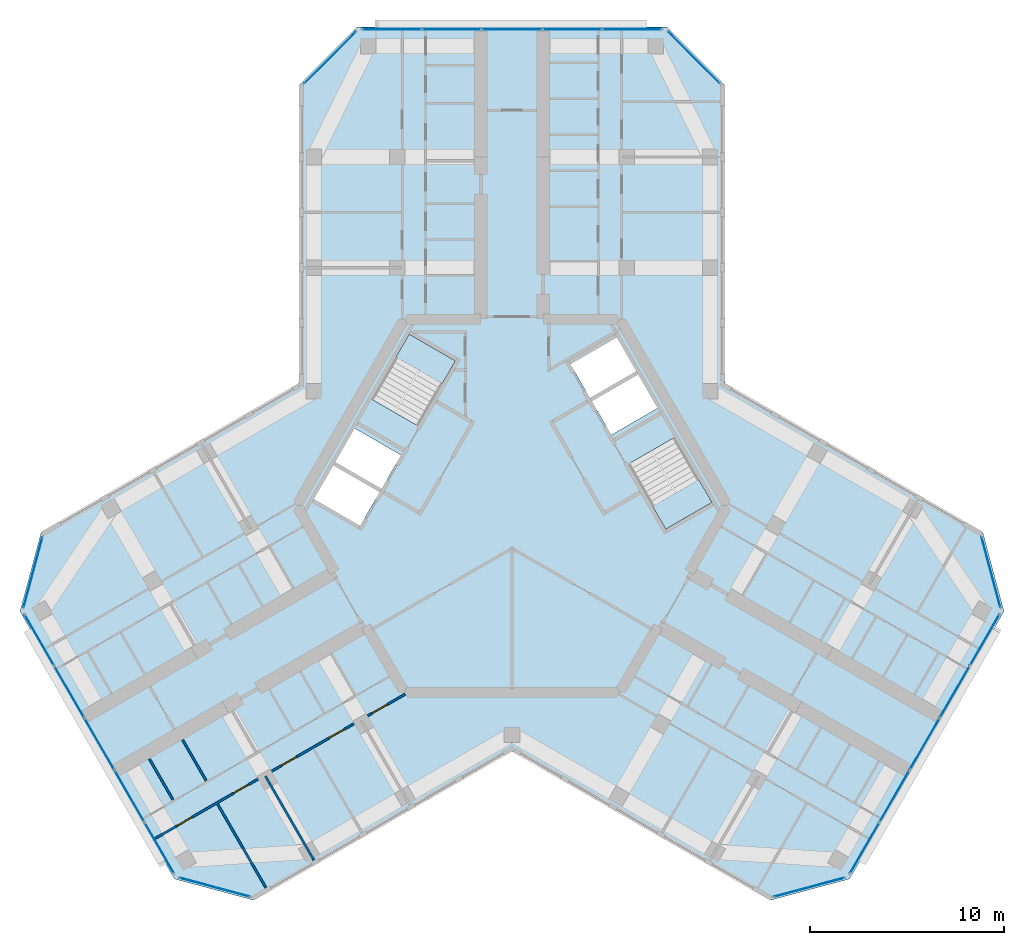
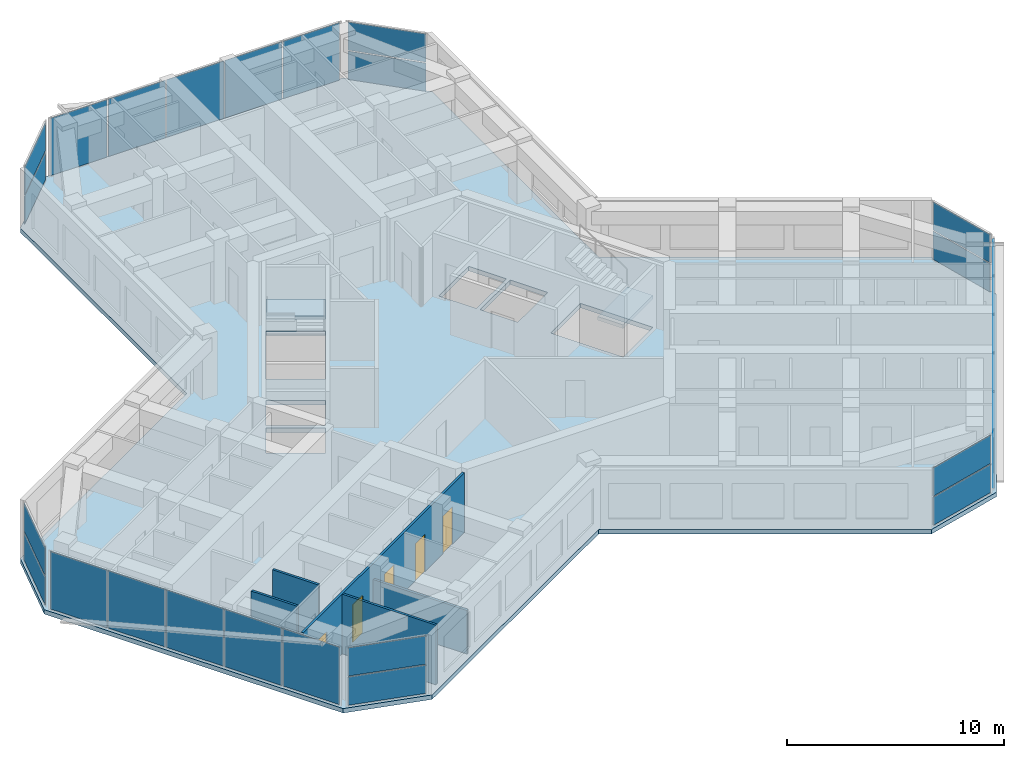
# One storey, part 6 of 14: 27 plates, 5 doors, 5 walls, 3 slabs, 5 openings, 11 elements without a shape of their own.
"""IFC4 building model written with IfcOpenShell, lengths in metres."""

from ifc_helpers import new_model, si_unit, direction, frame, frame_2d, origin, origin_2d, place, context, subcontext, project, spatial, polyline, rectangle, outline, extrude, material, layer, layer_set, type_object, element, fill, aggregate, save


model = new_model("IFC4")

# Units and contexts
model_context = context("Model", 3, precision=1e-05, world=origin(), true_north=direction((0.0, 1.0)))
body_context = subcontext(model_context, "Body", "Model", "MODEL_VIEW")
ifc_project = project(units=[si_unit("LENGTHUNIT", "METRE"), si_unit("AREAUNIT", "SQUARE_METRE"), si_unit("VOLUMEUNIT", "CUBIC_METRE"), si_unit("PLANEANGLEUNIT", "RADIAN"), si_unit("MASSUNIT", "GRAM", prefix="KILO")], contexts=[model_context])

# Site, building, storey
site_placement = place(None, origin())
site = spatial("IfcSite", under=ifc_project, at=site_placement, CompositionType="ELEMENT")
building_placement = place(site_placement, origin())
building = spatial("IfcBuilding", under=site, at=building_placement, Name="Kosmar Iwan School Tower", CompositionType="ELEMENT")
storey_placement = place(building_placement, frame((0.0, 0.0, 278.199951171875)))
storey = spatial("IfcBuildingStorey", under=building, at=storey_placement, Name="L70", CompositionType="ELEMENT", Elevation=278.199951171875)

# Curtain wall, plates
ifc_material_1 = material(Name="Dark glass in black aluminium frame", Category="aluminium")
curtain_wall_type_1 = type_object("IfcCurtainWallType", Name="Chamfer curtain wall dark glass", PredefinedType="USERDEFINED", material=ifc_material_1)
curtain_wall_1_placement = place(storey_placement, origin())
curtain_wall_1 = element("IfcCurtainWall", 1, at=curtain_wall_1_placement, inside=storey, type_object=curtain_wall_type_1, Name="Curtain wall L70-F02", ObjectType="FACETED CURTAIN WALL", PredefinedType="USERDEFINED")
ifc_material_2 = material(Name="Dark glass", Category="glass")
ifc_layer_1 = layer(ifc_material_2, 0.028076171875)
ifc_layer_set_1 = layer_set([ifc_layer_1], Name="Dark glass panel 28")
plate_type = type_object("IfcPlateType", Name="Dark glass panel 28", PredefinedType="CURTAIN_PANEL", material=ifc_layer_set_1)
plate_1_placement = place(storey_placement, frame((15.291015625, -19.63818359375, 0.06005859375), z_axis=(0.0, 0.0, 1.0), x_axis=(0.965925875495, 0.258818861462, 0.0)))
plate_1 = element("IfcPlate", 2, at=plate_1_placement, type_object=plate_type, Name="CW2 panel 1.1", PredefinedType="CURTAIN_PANEL", context=body_context, shape_type="SweptSolid", body=[
    extrude(rectangle(XDim=3.718994140625, YDim=0.028076171875, at=origin_2d()), origin(), (0.0, 0.0, 1.0), 1.5849609375),
])
plate_2_placement = place(storey_placement, frame((15.291015625, -19.63818359375, 1.705078125), z_axis=(0.0, 0.0, 1.0), x_axis=(0.965925875495, 0.258818861462, 0.0)))
plate_2 = element("IfcPlate", 3, at=plate_2_placement, type_object=plate_type, Name="CW2 panel 1.2", PredefinedType="CURTAIN_PANEL", context=body_context, shape_type="SweptSolid", body=[
    extrude(rectangle(XDim=3.718994140625, YDim=0.028076171875, at=origin_2d()), origin(), (0.0, 0.0, 1.0), 1.5849609375),
])
aggregate(curtain_wall_1, [plate_1, plate_2])

ifc_material_3 = material(Name="Dark glass in black aluminium frame", Category="aluminium")
curtain_wall_type_2 = type_object("IfcCurtainWallType", Name="Tower curtain wall dark glass", PredefinedType="USERDEFINED", material=ifc_material_3)
curtain_wall_2_placement = place(storey_placement, origin())
curtain_wall_2 = element("IfcCurtainWall", 4, at=curtain_wall_2_placement, inside=storey, type_object=curtain_wall_type_2, Name="Curtain wall L70-F03", ObjectType="UNITISED CURTAIN WALL", PredefinedType="USERDEFINED")
plate_3_placement = place(storey_placement, frame((18.1474609375, -17.61767578125, 0.06005859375), z_axis=(0.0, 0.0, 1.0), x_axis=(0.499999997325, 0.866025405329, 0.0)))
plate_3 = element("IfcPlate", 5, at=plate_3_placement, type_object=plate_type, Name="CW1 panel 1.1", PredefinedType="CURTAIN_PANEL", context=body_context, shape_type="SweptSolid", body=[
    extrude(rectangle(XDim=3.00927734375, YDim=0.028076171875, at=origin_2d()), origin(), (0.0, 0.0, 1.0), 3.22998046875),
])
plate_4_placement = place(storey_placement, frame((19.689697265625, -14.946533203125, 0.06005859375), z_axis=(0.0, 0.0, 1.0), x_axis=(0.499999997325, 0.866025405329, 0.0)))
plate_4 = element("IfcPlate", 6, at=plate_4_placement, type_object=plate_type, Name="CW1 panel 2.1", PredefinedType="CURTAIN_PANEL", context=body_context, shape_type="SweptSolid", body=[
    extrude(rectangle(XDim=3.039306640625, YDim=0.028076171875, at=origin_2d()), origin(), (0.0, 0.0, 1.0), 3.22998046875),
])
plate_5_placement = place(storey_placement, frame((21.2392578125, -12.262451171875, 0.06005859375), z_axis=(0.0, 0.0, 1.0), x_axis=(0.499999997325, 0.866025405329, 0.0)))
plate_5 = element("IfcPlate", 7, at=plate_5_placement, type_object=plate_type, Name="CW1 panel 3.1", PredefinedType="CURTAIN_PANEL", context=body_context, shape_type="SweptSolid", body=[
    extrude(rectangle(XDim=3.039306640625, YDim=0.028076171875, at=origin_2d()), origin(), (0.0, 0.0, 1.0), 3.22998046875),
])
plate_6_placement = place(storey_placement, frame((22.788818359375, -9.578369140625, 0.06005859375), z_axis=(0.0, 0.0, 1.0), x_axis=(0.499999997325, 0.866025405329, 0.0)))
plate_6 = element("IfcPlate", 8, at=plate_6_placement, type_object=plate_type, Name="CW1 panel 4.1", PredefinedType="CURTAIN_PANEL", context=body_context, shape_type="SweptSolid", body=[
    extrude(rectangle(XDim=3.039306640625, YDim=0.028076171875, at=origin_2d()), origin(), (0.0, 0.0, 1.0), 3.22998046875),
])
plate_7_placement = place(storey_placement, frame((24.3310546875, -6.907470703125, 0.06005859375), z_axis=(0.0, 0.0, 1.0), x_axis=(0.499999997325, 0.866025405329, 0.0)))
plate_7 = element("IfcPlate", 9, at=plate_7_placement, type_object=plate_type, Name="CW1 panel 5.1", PredefinedType="CURTAIN_PANEL", context=body_context, shape_type="SweptSolid", body=[
    extrude(rectangle(XDim=3.00927734375, YDim=0.028076171875, at=origin_2d()), origin(), (0.0, 0.0, 1.0), 3.22998046875),
])
aggregate(curtain_wall_2, [plate_3, plate_4, plate_5, plate_6, plate_7])

curtain_wall_3_placement = place(storey_placement, origin())
curtain_wall_3 = element("IfcCurtainWall", 10, at=curtain_wall_3_placement, inside=storey, type_object=curtain_wall_type_1, Name="Curtain wall L70-F04", ObjectType="FACETED CURTAIN WALL", PredefinedType="USERDEFINED")
plate_8_placement = place(storey_placement, frame((24.65283203125, -3.42333984375, 0.06005859375), z_axis=(0.0, 0.0, 1.0), x_axis=(-0.258818861462, 0.965925875495, 0.0)))
plate_8 = element("IfcPlate", 11, at=plate_8_placement, type_object=plate_type, Name="CW2 panel 1.1", PredefinedType="CURTAIN_PANEL", context=body_context, shape_type="SweptSolid", body=[
    extrude(rectangle(XDim=3.718994140625, YDim=0.028076171875, at=origin_2d()), origin(), (0.0, 0.0, 1.0), 1.5849609375),
])
plate_9_placement = place(storey_placement, frame((24.65283203125, -3.42333984375, 1.705078125), z_axis=(0.0, 0.0, 1.0), x_axis=(-0.258818861462, 0.965925875495, 0.0)))
plate_9 = element("IfcPlate", 12, at=plate_9_placement, type_object=plate_type, Name="CW2 panel 1.2", PredefinedType="CURTAIN_PANEL", context=body_context, shape_type="SweptSolid", body=[
    extrude(rectangle(XDim=3.718994140625, YDim=0.028076171875, at=origin_2d()), origin(), (0.0, 0.0, 1.0), 1.5849609375),
])
aggregate(curtain_wall_3, [plate_8, plate_9])

curtain_wall_4_placement = place(storey_placement, origin())
curtain_wall_4 = element("IfcCurtainWall", 13, at=curtain_wall_4_placement, inside=storey, type_object=curtain_wall_type_1, Name="Curtain wall L70-F07", ObjectType="FACETED CURTAIN WALL", PredefinedType="USERDEFINED")
plate_10_placement = place(storey_placement, frame((9.361572265625, 23.0615234375, 0.06005859375), z_axis=(0.0, 0.0, 1.0), x_axis=(-0.707106781187, 0.707106781187, 0.0)))
plate_10 = element("IfcPlate", 14, at=plate_10_placement, type_object=plate_type, Name="CW2 panel 1.1", PredefinedType="CURTAIN_PANEL", context=body_context, shape_type="SweptSolid", body=[
    extrude(rectangle(XDim=3.718994140625, YDim=0.028076171875, at=origin_2d()), origin(), (0.0, 0.0, 1.0), 1.5849609375),
])
plate_11_placement = place(storey_placement, frame((9.361572265625, 23.0615234375, 1.705078125), z_axis=(0.0, 0.0, 1.0), x_axis=(-0.707106781187, 0.707106781187, 0.0)))
plate_11 = element("IfcPlate", 15, at=plate_11_placement, type_object=plate_type, Name="CW2 panel 1.2", PredefinedType="CURTAIN_PANEL", context=body_context, shape_type="SweptSolid", body=[
    extrude(rectangle(XDim=3.718994140625, YDim=0.028076171875, at=origin_2d()), origin(), (0.0, 0.0, 1.0), 1.5849609375),
])
aggregate(curtain_wall_4, [plate_10, plate_11])

curtain_wall_5_placement = place(storey_placement, origin())
curtain_wall_5 = element("IfcCurtainWall", 16, at=curtain_wall_5_placement, inside=storey, type_object=curtain_wall_type_2, Name="Curtain wall L70-F08", ObjectType="UNITISED CURTAIN WALL", PredefinedType="USERDEFINED")
plate_12_placement = place(storey_placement, frame((6.18359375, 24.52490234375, 0.06005859375), z_axis=(0.0, 0.0, 1.0), x_axis=(-1.0, 0.0, 0.0)))
plate_12 = element("IfcPlate", 17, at=plate_12_placement, type_object=plate_type, Name="CW1 panel 1.1", PredefinedType="CURTAIN_PANEL", context=body_context, shape_type="SweptSolid", body=[
    extrude(rectangle(XDim=3.00927734375, YDim=0.028076171875, at=origin_2d()), origin(), (0.0, 0.0, 1.0), 3.22998046875),
])
plate_13_placement = place(storey_placement, frame((3.099365234375, 24.52490234375, 0.06005859375), z_axis=(0.0, 0.0, 1.0), x_axis=(-1.0, 0.0, 0.0)))
plate_13 = element("IfcPlate", 18, at=plate_13_placement, type_object=plate_type, Name="CW1 panel 2.1", PredefinedType="CURTAIN_PANEL", context=body_context, shape_type="SweptSolid", body=[
    extrude(rectangle(XDim=3.039306640625, YDim=0.028076171875, at=origin_2d()), origin(), (0.0, 0.0, 1.0), 3.22998046875),
])
plate_14_placement = place(storey_placement, frame((0.0, 24.52490234375, 0.06005859375), z_axis=(0.0, 0.0, 1.0), x_axis=(-1.0, 0.0, 0.0)))
plate_14 = element("IfcPlate", 19, at=plate_14_placement, type_object=plate_type, Name="CW1 panel 3.1", PredefinedType="CURTAIN_PANEL", context=body_context, shape_type="SweptSolid", body=[
    extrude(rectangle(XDim=3.039306640625, YDim=0.028076171875, at=origin_2d()), origin(), (0.0, 0.0, 1.0), 3.22998046875),
])
plate_15_placement = place(storey_placement, frame((-3.099365234375, 24.52490234375, 0.06005859375), z_axis=(0.0, 0.0, 1.0), x_axis=(-1.0, 0.0, 0.0)))
plate_15 = element("IfcPlate", 20, at=plate_15_placement, type_object=plate_type, Name="CW1 panel 4.1", PredefinedType="CURTAIN_PANEL", context=body_context, shape_type="SweptSolid", body=[
    extrude(rectangle(XDim=3.039306640625, YDim=0.028076171875, at=origin_2d()), origin(), (0.0, 0.0, 1.0), 3.22998046875),
])
plate_16_placement = place(storey_placement, frame((-6.18359375, 24.52490234375, 0.06005859375), z_axis=(0.0, 0.0, 1.0), x_axis=(-1.0, 0.0, 0.0)))
plate_16 = element("IfcPlate", 21, at=plate_16_placement, type_object=plate_type, Name="CW1 panel 5.1", PredefinedType="CURTAIN_PANEL", context=body_context, shape_type="SweptSolid", body=[
    extrude(rectangle(XDim=3.00927734375, YDim=0.028076171875, at=origin_2d()), origin(), (0.0, 0.0, 1.0), 3.22998046875),
])
aggregate(curtain_wall_5, [plate_12, plate_13, plate_14, plate_15, plate_16])

curtain_wall_6_placement = place(storey_placement, origin())
curtain_wall_6 = element("IfcCurtainWall", 22, at=curtain_wall_6_placement, inside=storey, type_object=curtain_wall_type_1, Name="Curtain wall L70-F09", ObjectType="FACETED CURTAIN WALL", PredefinedType="USERDEFINED")
plate_17_placement = place(storey_placement, frame((-9.361572265625, 23.0615234375, 0.06005859375), z_axis=(0.0, 0.0, 1.0), x_axis=(-0.707106781187, -0.707106781187, 0.0)))
plate_17 = element("IfcPlate", 23, at=plate_17_placement, type_object=plate_type, Name="CW2 panel 1.1", PredefinedType="CURTAIN_PANEL", context=body_context, shape_type="SweptSolid", body=[
    extrude(rectangle(XDim=3.718994140625, YDim=0.028076171875, at=origin_2d()), origin(), (0.0, 0.0, 1.0), 1.5849609375),
])
plate_18_placement = place(storey_placement, frame((-9.361572265625, 23.0615234375, 1.705078125), z_axis=(0.0, 0.0, 1.0), x_axis=(-0.707106781187, -0.707106781187, 0.0)))
plate_18 = element("IfcPlate", 24, at=plate_18_placement, type_object=plate_type, Name="CW2 panel 1.2", PredefinedType="CURTAIN_PANEL", context=body_context, shape_type="SweptSolid", body=[
    extrude(rectangle(XDim=3.718994140625, YDim=0.028076171875, at=origin_2d()), origin(), (0.0, 0.0, 1.0), 1.5849609375),
])
aggregate(curtain_wall_6, [plate_17, plate_18])

curtain_wall_7_placement = place(storey_placement, origin())
curtain_wall_7 = element("IfcCurtainWall", 25, at=curtain_wall_7_placement, inside=storey, type_object=curtain_wall_type_1, Name="Curtain wall L70-F12", ObjectType="FACETED CURTAIN WALL", PredefinedType="USERDEFINED")
plate_19_placement = place(storey_placement, frame((-24.65283203125, -3.42333984375, 0.06005859375), z_axis=(0.0, 0.0, 1.0), x_axis=(-0.258818861462, -0.965925875495, 0.0)))
plate_19 = element("IfcPlate", 26, at=plate_19_placement, type_object=plate_type, Name="CW2 panel 1.1", PredefinedType="CURTAIN_PANEL", context=body_context, shape_type="SweptSolid", body=[
    extrude(rectangle(XDim=3.718994140625, YDim=0.028076171875, at=origin_2d()), origin(), (0.0, 0.0, 1.0), 1.5849609375),
])
plate_20_placement = place(storey_placement, frame((-24.65283203125, -3.42333984375, 1.705078125), z_axis=(0.0, 0.0, 1.0), x_axis=(-0.258818861462, -0.965925875495, 0.0)))
plate_20 = element("IfcPlate", 27, at=plate_20_placement, type_object=plate_type, Name="CW2 panel 1.2", PredefinedType="CURTAIN_PANEL", context=body_context, shape_type="SweptSolid", body=[
    extrude(rectangle(XDim=3.718994140625, YDim=0.028076171875, at=origin_2d()), origin(), (0.0, 0.0, 1.0), 1.5849609375),
])
aggregate(curtain_wall_7, [plate_19, plate_20])

curtain_wall_8_placement = place(storey_placement, origin())
curtain_wall_8 = element("IfcCurtainWall", 28, at=curtain_wall_8_placement, inside=storey, type_object=curtain_wall_type_2, Name="Curtain wall L70-F13", ObjectType="UNITISED CURTAIN WALL", PredefinedType="USERDEFINED")
plate_21_placement = place(storey_placement, frame((-24.3310546875, -6.907470703125, 0.06005859375), z_axis=(0.0, 0.0, 1.0), x_axis=(0.499999997325, -0.866025405329, 0.0)))
plate_21 = element("IfcPlate", 29, at=plate_21_placement, type_object=plate_type, Name="CW1 panel 1.1", PredefinedType="CURTAIN_PANEL", context=body_context, shape_type="SweptSolid", body=[
    extrude(rectangle(XDim=3.00927734375, YDim=0.028076171875, at=origin_2d()), origin(), (0.0, 0.0, 1.0), 3.22998046875),
])
plate_22_placement = place(storey_placement, frame((-22.788818359375, -9.578369140625, 0.06005859375), z_axis=(0.0, 0.0, 1.0), x_axis=(0.499999997325, -0.866025405329, 0.0)))
plate_22 = element("IfcPlate", 30, at=plate_22_placement, type_object=plate_type, Name="CW1 panel 2.1", PredefinedType="CURTAIN_PANEL", context=body_context, shape_type="SweptSolid", body=[
    extrude(rectangle(XDim=3.039306640625, YDim=0.028076171875, at=origin_2d()), origin(), (0.0, 0.0, 1.0), 3.22998046875),
])
plate_23_placement = place(storey_placement, frame((-21.2392578125, -12.262451171875, 0.06005859375), z_axis=(0.0, 0.0, 1.0), x_axis=(0.499999997325, -0.866025405329, 0.0)))
plate_23 = element("IfcPlate", 31, at=plate_23_placement, type_object=plate_type, Name="CW1 panel 3.1", PredefinedType="CURTAIN_PANEL", context=body_context, shape_type="SweptSolid", body=[
    extrude(rectangle(XDim=3.039306640625, YDim=0.028076171875, at=origin_2d()), origin(), (0.0, 0.0, 1.0), 3.22998046875),
])
plate_24_placement = place(storey_placement, frame((-19.689697265625, -14.946533203125, 0.06005859375), z_axis=(0.0, 0.0, 1.0), x_axis=(0.499999997325, -0.866025405329, 0.0)))
plate_24 = element("IfcPlate", 32, at=plate_24_placement, type_object=plate_type, Name="CW1 panel 4.1", PredefinedType="CURTAIN_PANEL", context=body_context, shape_type="SweptSolid", body=[
    extrude(rectangle(XDim=3.039306640625, YDim=0.028076171875, at=origin_2d()), origin(), (0.0, 0.0, 1.0), 3.22998046875),
])
plate_25_placement = place(storey_placement, frame((-18.1474609375, -17.61767578125, 0.06005859375), z_axis=(0.0, 0.0, 1.0), x_axis=(0.499999997325, -0.866025405329, 0.0)))
plate_25 = element("IfcPlate", 33, at=plate_25_placement, type_object=plate_type, Name="CW1 panel 5.1", PredefinedType="CURTAIN_PANEL", context=body_context, shape_type="SweptSolid", body=[
    extrude(rectangle(XDim=3.00927734375, YDim=0.028076171875, at=origin_2d()), origin(), (0.0, 0.0, 1.0), 3.22998046875),
])
aggregate(curtain_wall_8, [plate_21, plate_22, plate_23, plate_24, plate_25])

curtain_wall_9_placement = place(storey_placement, origin())
curtain_wall_9 = element("IfcCurtainWall", 34, at=curtain_wall_9_placement, inside=storey, type_object=curtain_wall_type_1, Name="Curtain wall L70-F14", ObjectType="FACETED CURTAIN WALL", PredefinedType="USERDEFINED")
plate_26_placement = place(storey_placement, frame((-15.291015625, -19.63818359375, 0.06005859375), z_axis=(0.0, 0.0, 1.0), x_axis=(0.965925875495, -0.258818861462, 0.0)))
plate_26 = element("IfcPlate", 35, at=plate_26_placement, type_object=plate_type, Name="CW2 panel 1.1", PredefinedType="CURTAIN_PANEL", context=body_context, shape_type="SweptSolid", body=[
    extrude(rectangle(XDim=3.718994140625, YDim=0.028076171875, at=origin_2d()), origin(), (0.0, 0.0, 1.0), 1.5849609375),
])
plate_27_placement = place(storey_placement, frame((-15.291015625, -19.63818359375, 1.705078125), z_axis=(0.0, 0.0, 1.0), x_axis=(0.965925875495, -0.258818861462, 0.0)))
plate_27 = element("IfcPlate", 36, at=plate_27_placement, type_object=plate_type, Name="CW2 panel 1.2", PredefinedType="CURTAIN_PANEL", context=body_context, shape_type="SweptSolid", body=[
    extrude(rectangle(XDim=3.718994140625, YDim=0.028076171875, at=origin_2d()), origin(), (0.0, 0.0, 1.0), 1.5849609375),
])
aggregate(curtain_wall_9, [plate_26, plate_27])

# Slab
ifc_material_4 = material(Name="Concrete C35/45", Category="concrete")
ifc_layer_2 = layer(ifc_material_4, 0.25)
ifc_layer_set_2 = layer_set([ifc_layer_2], Name="Floor slab 250")
slab_type_1 = type_object("IfcSlabType", Name="Floor slab 250", PredefinedType="FLOOR", material=ifc_layer_set_2)
slab_1_placement = place(storey_placement, frame((0.0, 0.0, -0.25)))
element("IfcSlab", 37, at=slab_1_placement, inside=storey, type_object=slab_type_1, Name="L70 floor slab", PredefinedType="FLOOR", context=body_context, shape_type="SweptSolid", body=[
    extrude(outline(polyline([(-13.2744140625, -20.307861328125), (0.0, -12.64404296875), (13.2744140625, -20.307861328125), (17.37255859375, -19.2099609375), (25.322509765625, -5.440185546875), (24.224365234375, -1.342041015625), (10.949951171875, 6.322021484375), (10.949951171875, 21.64990234375), (7.949951171875, 24.64990234375), (-7.949951171875, 24.64990234375), (-10.949951171875, 21.64990234375), (-10.949951171875, 6.322021484375), (-24.224365234375, -1.342041015625), (-25.322509765625, -5.440185546875), (-17.37255859375, -19.2099609375), (-13.2744140625, -20.307861328125)]), holes=[polyline([(7.91259765625, -1.205078125), (10.294189453125, 0.169921875), (8.3642578125, 3.5126953125), (5.982666015625, 2.1376953125), (7.91259765625, -1.205078125)]), polyline([(-2.91259765625, 7.455078125), (-5.294189453125, 8.830078125), (-7.22412109375, 5.4873046875), (-4.8427734375, 4.1123046875), (-2.91259765625, 7.455078125)]), polyline([(-5.712646484375, 2.60546875), (-8.09423828125, 3.98046875), (-9.09423828125, 2.248291015625), (-6.712646484375, 0.873291015625), (-5.712646484375, 2.60546875)]), polyline([(-6.812744140625, 0.7001953125), (-9.1943359375, 2.0751953125), (-10.1943359375, 0.343017578125), (-7.812744140625, -1.031982421875), (-6.812744140625, 0.7001953125)]), polyline([(5.112548828125, 3.64453125), (7.494140625, 5.01953125), (6.494140625, 6.751708984375), (4.112548828125, 5.376708984375), (5.112548828125, 3.64453125)]), polyline([(4.0126953125, 5.5498046875), (6.394287109375, 6.9248046875), (5.394287109375, 8.656982421875), (3.0126953125, 7.281982421875), (4.0126953125, 5.5498046875)])]), origin(), (0.0, 0.0, 1.0), 0.25),
])

# Stair, slab
ifc_material_5 = material(Name="Concrete C35/45", Category="concrete")
stair_type = type_object("IfcStairType", Name="Core stair 2750", PredefinedType="HALF_TURN_STAIR", material=ifc_material_5)
stair_1_placement = place(storey_placement, origin())
stair_1 = element("IfcStair", 38, at=stair_1_placement, inside=storey, type_object=stair_type, Name="Stair ST2 L70", PredefinedType="HALF_TURN_STAIR")
ifc_material_6 = material(Name="Concrete C35/45", Category="concrete")
ifc_layer_3 = layer(ifc_material_6, 0.199951171875)
ifc_layer_set_3 = layer_set([ifc_layer_3], Name="Stair landing 200")
slab_type_2 = type_object("IfcSlabType", Name="Stair landing 200", PredefinedType="LANDING", material=ifc_layer_set_3)
slab_2_placement = place(storey_placement, frame((0.0, 0.0, 1.60009765625)))
slab_2 = element("IfcSlab", 39, at=slab_2_placement, type_object=slab_type_2, Name="ST2 landing 1", PredefinedType="LANDING", context=body_context, shape_type="SweptSolid", body=[
    extrude(outline(polyline([(-2.91259765625, 7.455078125), (-5.294189453125, 8.830078125), (-5.97412109375, 7.65234375), (-3.5927734375, 6.27734375), (-2.91259765625, 7.455078125)])), origin(), (0.0, 0.0, 1.0), 0.199951171875),
])
aggregate(stair_1, [slab_2])

stair_2_placement = place(storey_placement, origin())
stair_2 = element("IfcStair", 40, at=stair_2_placement, inside=storey, type_object=stair_type, Name="Stair ST1 L70", PredefinedType="HALF_TURN_STAIR")
slab_3_placement = place(storey_placement, frame((0.0, 0.0, 1.60009765625)))
slab_3 = element("IfcSlab", 41, at=slab_3_placement, type_object=slab_type_2, Name="ST1 landing 1", PredefinedType="LANDING", context=body_context, shape_type="SweptSolid", body=[
    extrude(outline(polyline([(7.91259765625, -1.205078125), (10.294189453125, 0.169921875), (9.6142578125, 1.34765625), (7.232666015625, -0.02734375), (7.91259765625, -1.205078125)])), origin(), (0.0, 0.0, 1.0), 0.199951171875),
])
aggregate(stair_2, [slab_3])

# Wall, openings, doors
ifc_material_7 = material(Name="Gypsum board on steel studs", Category="steel")
ifc_layer_4 = layer(ifc_material_7, 0.1201171875)
ifc_layer_set_4 = layer_set([ifc_layer_4], Name="Dwelling partition 120")
wall_type = type_object("IfcWallType", Name="Dwelling partition 120", PredefinedType="PARTITIONING", material=ifc_layer_set_4)
wall_1_placement = place(storey_placement, frame((-5.48876953125, -9.693115234375, 0.0), z_axis=(0.0, 0.0, 1.0), x_axis=(-0.866030301974, -0.499991515992, 0.0)))
wall_1 = element("IfcWall", 42, at=wall_1_placement, inside=storey, type_object=wall_type, Name="Partition L70-BL1-W2", PredefinedType="PARTITIONING", context=body_context, shape_type="SweptSolid", body=[
    extrude(rectangle(XDim=14.844970703125, YDim=0.1201171875, at=frame_2d((7.42236328125, 0.0))), origin(), (0.0, 0.0, 1.0), 3.35009765625),
])
opening_1_placement = place(wall_1_placement, frame((1.074951171875, 0.0, 0.0)))
opening_1 = element("IfcOpeningElement", 43, at=opening_1_placement, cuts=wall_1, Name="Opening D2", PredefinedType="OPENING", context=body_context, shape_type="SweptSolid", body=[
    extrude(rectangle(XDim=0.89990234375, YDim=2.10009765625, at=frame_2d((0.449951171875, 1.050048828125))), frame((0.0, 0.072021484375, 0.0), z_axis=(0.0, -1.0, 0.0), x_axis=(1.0, 0.0, 0.0)), (0.0, 0.0, 1.0), 0.14404296875),
])
opening_2_placement = place(wall_1_placement, frame((3.625, 0.0, 0.0)))
opening_2 = element("IfcOpeningElement", 44, at=opening_2_placement, cuts=wall_1, Name="Opening D2", PredefinedType="OPENING", context=body_context, shape_type="SweptSolid", body=[
    extrude(rectangle(XDim=0.89990234375, YDim=2.10009765625, at=frame_2d((0.449951171875, 1.050048828125))), frame((0.0, 0.072021484375, 0.0), z_axis=(0.0, -1.0, 0.0), x_axis=(1.0, 0.0, 0.0)), (0.0, 0.0, 1.0), 0.14404296875),
])
opening_3_placement = place(wall_1_placement, frame((6.47509765625, 0.0, 0.0)))
opening_3 = element("IfcOpeningElement", 45, at=opening_3_placement, cuts=wall_1, Name="Opening D2", PredefinedType="OPENING", context=body_context, shape_type="SweptSolid", body=[
    extrude(rectangle(XDim=0.89990234375, YDim=2.10009765625, at=frame_2d((0.449951171875, 1.050048828125))), frame((0.0, 0.072021484375, 0.0), z_axis=(0.0, -1.0, 0.0), x_axis=(1.0, 0.0, 0.0)), (0.0, 0.0, 1.0), 0.14404296875),
])
opening_4_placement = place(wall_1_placement, frame((9.324951171875, 0.0, 0.0)))
opening_4 = element("IfcOpeningElement", 46, at=opening_4_placement, cuts=wall_1, Name="Opening D2", PredefinedType="OPENING", context=body_context, shape_type="SweptSolid", body=[
    extrude(rectangle(XDim=0.89990234375, YDim=2.10009765625, at=frame_2d((0.449951171875, 1.050048828125))), frame((0.0, 0.072021484375, 0.0), z_axis=(0.0, -1.0, 0.0), x_axis=(1.0, 0.0, 0.0)), (0.0, 0.0, 1.0), 0.14404296875),
])
opening_5_placement = place(wall_1_placement, frame((12.675048828125, 0.0, 0.0)))
opening_5 = element("IfcOpeningElement", 47, at=opening_5_placement, cuts=wall_1, Name="Opening D2", PredefinedType="OPENING", context=body_context, shape_type="SweptSolid", body=[
    extrude(rectangle(XDim=0.89990234375, YDim=2.10009765625, at=frame_2d((0.449951171875, 1.050048828125))), frame((0.0, 0.072021484375, 0.0), z_axis=(0.0, -1.0, 0.0), x_axis=(1.0, 0.0, 0.0)), (0.0, 0.0, 1.0), 0.14404296875),
])
ifc_material_8 = material(Name="Timber door in timber frame", Category="wood")
door_type = type_object("IfcDoorType", Name="Internal door 900x2100", OperationType="SINGLE_SWING_LEFT", PredefinedType="DOOR", material=ifc_material_8)
door_1_placement = place(opening_1_placement, origin())
door_1 = element("IfcDoor", 48, at=door_1_placement, inside=storey, type_object=door_type, Name="Living room door L70-BL1-F1", OperationType="SINGLE_SWING_LEFT", OverallHeight=2.10009765625, OverallWidth=0.89990234375, PredefinedType="DOOR", context=body_context, shape_type="SweptSolid", body=[
    extrude(rectangle(XDim=0.89990234375, YDim=2.10009765625, at=frame_2d((0.449951171875, 1.050048828125))), frame((0.0, 0.02490234375, 0.0), z_axis=(0.0, -1.0, 0.0), x_axis=(1.0, 0.0, 0.0)), (0.0, 0.0, 1.0), 0.050048828125),
])
fill(opening_1, door_1)
door_2_placement = place(opening_2_placement, origin())
door_2 = element("IfcDoor", 49, at=door_2_placement, inside=storey, type_object=door_type, Name="Study door L70-BL1-F2", OperationType="SINGLE_SWING_RIGHT", OverallHeight=2.10009765625, OverallWidth=0.89990234375, PredefinedType="DOOR", context=body_context, shape_type="SweptSolid", body=[
    extrude(rectangle(XDim=0.89990234375, YDim=2.10009765625, at=frame_2d((0.449951171875, 1.050048828125))), frame((0.0, 0.02490234375, 0.0), z_axis=(0.0, -1.0, 0.0), x_axis=(1.0, 0.0, 0.0)), (0.0, 0.0, 1.0), 0.050048828125),
])
fill(opening_2, door_2)
door_3_placement = place(opening_3_placement, origin())
door_3 = element("IfcDoor", 50, at=door_3_placement, inside=storey, type_object=door_type, Name="Bedroom 2 door L70-BL1-F3", OperationType="SINGLE_SWING_LEFT", OverallHeight=2.10009765625, OverallWidth=0.89990234375, PredefinedType="DOOR", context=body_context, shape_type="SweptSolid", body=[
    extrude(rectangle(XDim=0.89990234375, YDim=2.10009765625, at=frame_2d((0.449951171875, 1.050048828125))), frame((0.0, 0.02490234375, 0.0), z_axis=(0.0, -1.0, 0.0), x_axis=(1.0, 0.0, 0.0)), (0.0, 0.0, 1.0), 0.050048828125),
])
fill(opening_3, door_3)
door_4_placement = place(opening_4_placement, origin())
door_4 = element("IfcDoor", 51, at=door_4_placement, inside=storey, type_object=door_type, Name="Kitchen and dining room door L70-BL1-F4", OperationType="SINGLE_SWING_RIGHT", OverallHeight=2.10009765625, OverallWidth=0.89990234375, PredefinedType="DOOR", context=body_context, shape_type="SweptSolid", body=[
    extrude(rectangle(XDim=0.89990234375, YDim=2.10009765625, at=frame_2d((0.449951171875, 1.050048828125))), frame((0.0, 0.02490234375, 0.0), z_axis=(0.0, -1.0, 0.0), x_axis=(1.0, 0.0, 0.0)), (0.0, 0.0, 1.0), 0.050048828125),
])
fill(opening_4, door_4)
door_5_placement = place(opening_5_placement, origin())
door_5 = element("IfcDoor", 52, at=door_5_placement, inside=storey, type_object=door_type, Name="Bedroom 1 door L70-BL1-F5", OperationType="SINGLE_SWING_RIGHT", OverallHeight=2.10009765625, OverallWidth=0.89990234375, PredefinedType="DOOR", context=body_context, shape_type="SweptSolid", body=[
    extrude(rectangle(XDim=0.89990234375, YDim=2.10009765625, at=frame_2d((0.449951171875, 1.050048828125))), frame((0.0, 0.02490234375, 0.0), z_axis=(0.0, -1.0, 0.0), x_axis=(1.0, 0.0, 0.0)), (0.0, 0.0, 1.0), 0.050048828125),
])
fill(opening_5, door_5)

# Walls
wall_2_placement = place(storey_placement, frame((-12.690185546875, -13.919921875, 0.0), z_axis=(0.0, 0.0, 1.0), x_axis=(0.500011847778, -0.866018563358, 0.0)))
element("IfcWall", 53, at=wall_2_placement, inside=storey, type_object=wall_type, Name="Partition L70-BL1-X3", PredefinedType="PARTITIONING", context=body_context, shape_type="SweptSolid", body=[
    extrude(rectangle(XDim=4.990234375, YDim=0.1201171875, at=frame_2d((2.4951171875, 0.0))), origin(), (0.0, 0.0, 1.0), 2.449951171875),
])
wall_3_placement = place(storey_placement, frame((-15.158447265625, -15.344970703125, 0.0), z_axis=(0.0, 0.0, 1.0), x_axis=(0.500011847778, -0.866018563358, 0.0)))
element("IfcWall", 54, at=wall_3_placement, inside=storey, type_object=wall_type, Name="Partition L70-BL1-X4", PredefinedType="PARTITIONING", context=body_context, shape_type="SweptSolid", body=[
    extrude(rectangle(XDim=4.990234375, YDim=0.1201171875, at=frame_2d((2.4951171875, 0.0))), origin(), (0.0, 0.0, 1.0), 3.35009765625),
])
wall_4_placement = place(storey_placement, frame((-16.9580078125, -12.042236328125, 0.0), z_axis=(0.0, 0.0, 1.0), x_axis=(0.500034220881, -0.866005645448, 0.0)))
element("IfcWall", 55, at=wall_4_placement, inside=storey, type_object=wall_type, Name="Partition L70-BL1-Y5", PredefinedType="PARTITIONING", context=body_context, shape_type="SweptSolid", body=[
    extrude(rectangle(XDim=2.440185546875, YDim=0.1201171875, at=frame_2d((1.22021484375, 0.0))), origin(), (0.0, 0.0, 1.0), 3.35009765625),
])
wall_5_placement = place(storey_placement, frame((-18.665283203125, -13.028076171875, 0.0), z_axis=(0.0, 0.0, 1.0), x_axis=(0.500002508028, -0.866023955769, 0.0)))
element("IfcWall", 56, at=wall_5_placement, inside=storey, type_object=wall_type, Name="Partition L70-BL1-Y6", PredefinedType="PARTITIONING", context=body_context, shape_type="SweptSolid", body=[
    extrude(rectangle(XDim=2.43994140625, YDim=0.1201171875, at=frame_2d((1.219970703125, 0.0))), origin(), (0.0, 0.0, 1.0), 3.35009765625),
])

save(model, "model.ifc")
